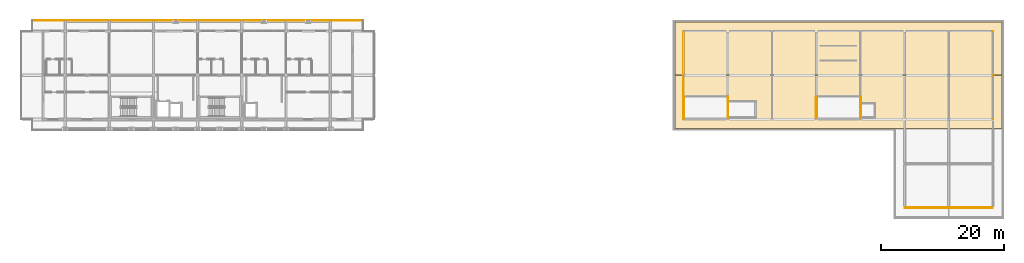
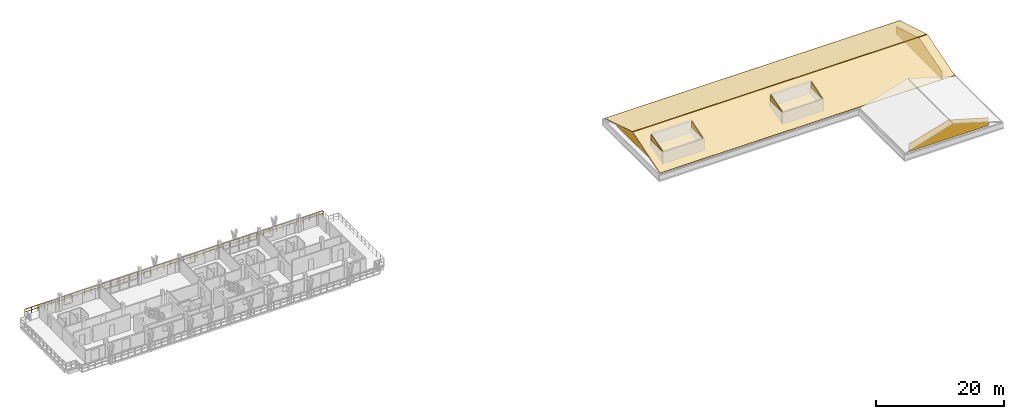
# One storey, part 19 of 19: 9 coverings, 1 railing.
"""IFC4 building model written with IfcOpenShell, lengths in metres."""

import ifcopenshell
import ifcopenshell.guid

model = None  # the IFC model being written
_history = None  # IfcOwnerHistory: only IFC2X3 demands one
_inside = {}  # id of a spatial element -> (the spatial element, [elements in it])
_under = {}  # id of a project, library or spatial element -> (it, [spatial elements below it])
_declared = {}  # id of a project -> (the project, [libraries it declares])
_typed = {}  # id of a type object -> (the type object, [elements of that type])
_made_of = {}  # id of a material, layer set ... -> (it, [elements and type objects made of it])


def new_model(schema):
    """Start an empty IFC model of exactly this schema.

    Asked for "IFC4X3", IfcOpenShell would pick the latest addendum, in which some entities
    have other attributes; the version numbers below select the first issue.
    IFC2X3 requires an IfcOwnerHistory on every rooted entity: one is made here for all.
    """
    global model, _history
    if schema == "IFC4X3":
        model = ifcopenshell.file(schema_version=(4, 3, 0, 0))
    else:
        model = ifcopenshell.file(schema=schema)
    _inside.clear()
    _under.clear()
    _declared.clear()
    _typed.clear()
    _made_of.clear()
    _history = None
    if model.schema == "IFC2X3":
        org = make("IfcOrganization", Name="unknown")
        user = make(
            "IfcPersonAndOrganization",
            ThePerson=make("IfcPerson", FamilyName="unknown"),
            TheOrganization=org,
        )
        app = make(
            "IfcApplication",
            ApplicationDeveloper=org,
            Version="unknown",
            ApplicationFullName="unknown",
            ApplicationIdentifier="unknown",
        )
        _history = make(
            "IfcOwnerHistory",
            OwningUser=user,
            OwningApplication=app,
            ChangeAction="ADDED",
            CreationDate=0,
        )
    return model


def make(cls, **values):
    """One entity of the class cls with the attributes given. An attribute that is None is left unset."""
    return model.create_entity(
        cls, **{name: value for name, value in values.items() if value is not None}
    )


def rooted(cls, **values):
    """An entity with a GlobalId (a new one), such as an element, a storey or a relation."""
    return make(cls, GlobalId=ifcopenshell.guid.new(), OwnerHistory=_history, **values)


def si_unit(unit_type, name, prefix=None):
    """IfcSIUnit, for example si_unit("LENGTHUNIT", "METRE", prefix="MILLI")."""
    return make("IfcSIUnit", UnitType=unit_type, Prefix=prefix, Name=name)


def assignment(units):
    """IfcUnitAssignment: the units of a project."""
    return None if units is None else make("IfcUnitAssignment", Units=units)


def point(xyz):
    """IfcCartesianPoint."""
    return None if xyz is None else make("IfcCartesianPoint", Coordinates=xyz)


def direction(xyz):
    """IfcDirection."""
    return None if xyz is None else make("IfcDirection", DirectionRatios=xyz)


def frame(location, z_axis=None, x_axis=None):
    """IfcAxis2Placement3D, a coordinate frame: its origin and axes. An axis left out is left unset."""
    return make(
        "IfcAxis2Placement3D",
        Location=point(location),
        Axis=direction(z_axis),
        RefDirection=direction(x_axis),
    )


def frame_2d(location, x_axis=None):
    """IfcAxis2Placement2D, a coordinate frame in the plane: its origin and x axis."""
    return make(
        "IfcAxis2Placement2D", Location=point(location), RefDirection=direction(x_axis)
    )


def origin():
    """The frame at (0, 0, 0) with its axes left unset."""
    return frame((0.0, 0.0, 0.0))


def origin_2d():
    """The frame at (0, 0) in the plane with its x axis left unset."""
    return frame_2d((0.0, 0.0))


def place(relative_to, where):
    """IfcLocalPlacement: puts the frame where relative to a parent placement (None: the world)."""
    return make(
        "IfcLocalPlacement", PlacementRelTo=relative_to, RelativePlacement=where
    )


def context(
    kind, dimensions, precision=None, world=None, true_north=None, identifier=None
):
    """IfcGeometricRepresentationContext, for example the 3D "Model" context."""
    return make(
        "IfcGeometricRepresentationContext",
        ContextIdentifier=identifier,
        ContextType=kind,
        CoordinateSpaceDimension=dimensions,
        Precision=precision,
        WorldCoordinateSystem=world,
        TrueNorth=true_north,
    )


def subcontext(parent, identifier, kind, view, scale=None):
    """IfcGeometricRepresentationSubContext, for example "Body" below "Model"."""
    return make(
        "IfcGeometricRepresentationSubContext",
        ContextIdentifier=identifier,
        ContextType=kind,
        ParentContext=parent,
        TargetScale=scale,
        TargetView=view,
    )


def project(units=None, contexts=None):
    """IfcProject with its units and contexts."""
    return rooted(
        "IfcProject",
        Name="project",
        RepresentationContexts=contexts,
        UnitsInContext=assignment(units),
    )


def spatial(cls, under=None, at=None, **own):
    """A site, building, storey or space (cls), placed at a placement, below another one or the project."""
    s = rooted(cls, ObjectPlacement=at, **own)
    if under is not None:
        _under.setdefault(under.id(), (under, []))[1].append(s)
    return s


def polyline(points):
    """IfcPolyline through the points."""
    return make("IfcPolyline", Points=[point(p) for p in points])


def profile(cls, at=None, kind="AREA", **sizes):
    """A parametric profile (cls). Its sizes go by their IFC names, for example OverallWidth=200.0."""
    return make(cls, ProfileType=kind, Position=at, **sizes)


def rectangle(**sizes):
    """IfcRectangleProfileDef."""
    return profile("IfcRectangleProfileDef", **sizes)


def outline(outer, holes=None, kind="AREA"):
    """IfcArbitraryClosedProfileDef: a profile drawn as a closed curve; with holes, ...WithVoids."""
    if holes is None:
        return make("IfcArbitraryClosedProfileDef", ProfileType=kind, OuterCurve=outer)
    return make(
        "IfcArbitraryProfileDefWithVoids",
        ProfileType=kind,
        OuterCurve=outer,
        InnerCurves=holes,
    )


def extrude(swept, where, along, depth):
    """IfcExtrudedAreaSolid: the profile swept, set in the frame where, extruded along a direction by depth."""
    return make(
        "IfcExtrudedAreaSolid",
        SweptArea=swept,
        Position=where,
        ExtrudedDirection=direction(along),
        Depth=depth,
    )


def shape(context_of_items, identifier, shape_type, items):
    """IfcShapeRepresentation: the items that make up one representation, for example the "Body"."""
    return make(
        "IfcShapeRepresentation",
        ContextOfItems=context_of_items,
        RepresentationIdentifier=identifier,
        RepresentationType=shape_type,
        Items=items,
    )


def material(Name=None, Category=None):
    """IfcMaterial."""
    return make("IfcMaterial", Name=Name, Category=Category)


def layer(
    of_material, thickness, ventilated=None, Name=None, Category=None, Priority=None
):
    """IfcMaterialLayer: one layer of a wall or slab, of a material (None: an air gap)."""
    return make(
        "IfcMaterialLayer",
        Material=of_material,
        LayerThickness=thickness,
        IsVentilated=ventilated,
        Name=Name,
        Category=Category,
        Priority=Priority,
    )


def layer_set(layers, Name=None):
    """IfcMaterialLayerSet."""
    return make("IfcMaterialLayerSet", MaterialLayers=layers, LayerSetName=Name)


def made_of(thing, what):
    """Note that an element or type object is made of a material, layer set ...; save() writes the relation."""
    if what is not None:
        _made_of.setdefault(what.id(), (what, []))[1].append(thing)
    return thing


def type_object(cls, material=None, **own):
    """A type object (cls), such as IfcWallType, which elements share."""
    return made_of(rooted(cls, **own), material)


def element(
    cls,
    number,
    at=None,
    inside=None,
    cuts=None,
    type_object=None,
    material=None,
    context=None,
    identifier="Body",
    shape_type=None,
    held_by="IfcProductDefinitionShape",
    body=None,
    shapes=None,
    **own,
):
    """One element of the class cls, such as IfcWall. Its Tag is "e" and its number.

    at: its placement. inside: the storey or other place that contains it. cuts: it is an
    opening in that element (IfcRelVoidsElement). A single representation is given by context,
    identifier, shape_type and body (its items); several are given by shapes. held_by: the class
    of the entity that holds the representations. save() writes the other relations.
    """
    e = rooted(cls, Tag="e%d" % number, ObjectPlacement=at, **own)
    if body is not None:
        shapes = [shape(context, identifier, shape_type, body)]
    if shapes is not None:
        e.Representation = make(held_by, Representations=shapes)
    if inside is not None:
        _inside.setdefault(inside.id(), (inside, []))[1].append(e)
    if cuts is not None:
        rooted(
            "IfcRelVoidsElement", RelatingBuildingElement=cuts, RelatedOpeningElement=e
        )
    if type_object is not None:
        _typed.setdefault(type_object.id(), (type_object, []))[1].append(e)
    return made_of(e, material)


def aggregate(whole, parts):
    """IfcRelAggregates: a whole, such as a stair, and the parts it consists of."""
    return rooted("IfcRelAggregates", RelatingObject=whole, RelatedObjects=parts)


def save(model, path):
    """Write the relations noted so far, then the file.

    IfcRelAggregates (storeys below a building ...), IfcRelContainedInSpatialStructure (elements
    in a storey), IfcRelDefinesByType, IfcRelAssociatesMaterial and IfcRelDeclares: one each for
    every whole, place, type object, material and project.
    """
    for whole, parts in _under.values():
        aggregate(whole, parts)
    for where, things in _inside.values():
        rooted(
            "IfcRelContainedInSpatialStructure",
            RelatedElements=things,
            RelatingStructure=where,
        )
    for kind, things in _typed.values():
        rooted("IfcRelDefinesByType", RelatedObjects=things, RelatingType=kind)
    for what, things in _made_of.values():
        rooted("IfcRelAssociatesMaterial", RelatedObjects=things, RelatingMaterial=what)
    for by, libraries in _declared.values():
        rooted("IfcRelDeclares", RelatingContext=by, RelatedDefinitions=libraries)
    model.write(path)


model = new_model("IFC4")

# Units and contexts
model_context = context("Model", 3, precision=1e-05, world=origin(), true_north=direction((0.0, 1.0)))
body_context = subcontext(model_context, "Body", "Model", "MODEL_VIEW")
ifc_project = project(units=[si_unit("LENGTHUNIT", "METRE"), si_unit("AREAUNIT", "SQUARE_METRE"), si_unit("VOLUMEUNIT", "CUBIC_METRE"), si_unit("PLANEANGLEUNIT", "RADIAN"), si_unit("MASSUNIT", "GRAM", prefix="KILO")], contexts=[model_context])

# Site, building, storey
site_placement = place(None, origin())
site = spatial("IfcSite", under=ifc_project, at=site_placement, CompositionType="ELEMENT")
building_placement = place(site_placement, origin())
building = spatial("IfcBuilding", under=site, at=building_placement, Name="Suanplinth Sawtooth Commons", CompositionType="ELEMENT")
storey_placement = place(building_placement, frame((0.0, 0.0, 44.39990234375)))
storey = spatial("IfcBuildingStorey", under=building, at=storey_placement, Name="L13", CompositionType="ELEMENT", Elevation=44.39990234375)

# Coverings
ifc_material_1 = material(Name="Insulated zinc-aluminium architectural wall panel", Category="aluminium")
ifc_layer_1 = layer(ifc_material_1, 0.139892578125, Name="Insulated architectural gable tympanum cladding 140mm")
ifc_layer_set_1 = layer_set([ifc_layer_1], Name="Insulated zinc-aluminium architectural wall panel")
covering_type_1 = type_object("IfcCoveringType", Name="CV-CL02", PredefinedType="CLADDING", material=ifc_layer_set_1)
for number, where, z_axis, x_axis, name in (
    (1, (136.800048828125, 108.0, 0.0), (0.0, 0.0, 1.0), (0.0, 1.0, 0.0), "L13 Block B Crown W Gable Tympanum"),
    (2, (187.199951171875, 108.0, 0.0), (0.0, 0.0, 1.0), (0.0, 1.0, 0.0), "L13 Block B Crown E Gable Tympanum"),
    (3, (172.800048828125, 93.60009765625, 0.0), (0.0, 0.0, 1.0), (1.0, 0.0, 0.0), "L13 Block B Return Wing Gable Tympanum"),
):
    element("IfcCovering", number, at=place(storey_placement, frame(where, z_axis=z_axis, x_axis=x_axis)), inside=storey, type_object=covering_type_1, Name=name, PredefinedType="CLADDING", context=body_context, shape_type="SweptSolid", body=[
        extrude(outline(polyline([(0.0, 0.0), (14.39990234375, 0.0), (14.39990234375, 1.4501953125), (7.199951171875, 3.5400390625), (0.0, 1.4501953125), (0.0, 0.0)])), frame((0.0, 0.06982421875, 0.0), z_axis=(0.0, -1.0, 0.0), x_axis=(1.0, 0.0, 0.0)), (0.0, 0.0, 1.0), 0.139892578125),
    ])
for number, where, z_axis, x_axis, name in (
    (4, (136.77001953125, 108.205078125, 3.820068359375), (0.0, 0.0, 1.0), (0.0, 1.0, 0.0), "Stair ST-E1 Headhouse Rake Cladding W"),
    (5, (144.030029296875, 108.205078125, 3.820068359375), (0.0, 0.0, 1.0), (0.0, 1.0, 0.0), "Stair ST-E1 Headhouse Rake Cladding E"),
    (6, (158.3701171875, 108.205078125, 3.820068359375), (0.0, 0.0, 1.0), (0.0, 1.0, 0.0), "Stair ST-E2 Headhouse Rake Cladding W"),
    (7, (165.6298828125, 108.205078125, 3.820068359375), (0.0, 0.0, 1.0), (0.0, 1.0, 0.0), "Stair ST-E2 Headhouse Rake Cladding E"),
):
    element("IfcCovering", number, at=place(storey_placement, frame(where, z_axis=z_axis, x_axis=x_axis)), inside=storey, type_object=covering_type_1, Name=name, PredefinedType="CLADDING", context=body_context, shape_type="SweptSolid", body=[
        extrude(outline(polyline([(0.0, 0.0), (3.489990234375, 0.0), (3.489990234375, 1.10009765625), (0.0, 0.0), (0.0, 0.0)])), frame((0.0, 0.06982421875, 0.0), z_axis=(0.0, -1.0, 0.0), x_axis=(1.0, 0.0, 0.0)), (0.0, 0.0, 1.0), 0.139892578125),
    ])
ifc_material_2 = material(Name="Standing-seam zinc-aluminium alloy sheet", Category="aluminium")
ifc_layer_2 = layer(ifc_material_2, 0.06494140625, Name="Standing-seam zinc-aluminium roof cladding 65mm")
ifc_layer_set_2 = layer_set([ifc_layer_2], Name="Standing-seam zinc-aluminium alloy sheet")
covering_type_2 = type_object("IfcCoveringType", Name="CV-RF01", PredefinedType="ROOFING", material=ifc_layer_set_2)
covering_1_placement = place(storey_placement, frame((135.35009765625, 106.550048828125, 1.155029296875), z_axis=(0.0, -0.290734147069, 0.956803875268), x_axis=(1.0, 0.0, 0.0)))
element("IfcCovering", 8, at=covering_1_placement, inside=storey, type_object=covering_type_2, Name="L13 Block B Crown South Standing-Seam Roof", PredefinedType="ROOFING", context=body_context, shape_type="SweptSolid", body=[
    extrude(outline(polyline([(0.0, 0.0), (53.2998046875, 0.0), (53.2998046875, 8.977643143004794), (0.0, 8.977643143004794), (0.0, 0.0)])), origin(), (0.0, 0.0, -1.0), 0.06494140625),
])
covering_2_placement = place(storey_placement, frame((135.35009765625, 123.85009765625, 1.155029296875), z_axis=(0.0, 0.290726582471, 0.956806173812), x_axis=(1.0, 0.0, 0.0)))
element("IfcCovering", 9, at=covering_2_placement, inside=storey, type_object=covering_type_2, Name="L13 Block B Crown North Standing-Seam Roof", PredefinedType="ROOFING", context=body_context, shape_type="SweptSolid", body=[
    extrude(outline(polyline([(0.0, 0.0), (53.2998046875, 0.0), (53.2998046875, -8.977876737981493), (0.0, -8.977876737981493), (0.0, 0.0)])), origin(), (0.0, 0.0, -1.0), 0.06494140625),
])

# Railing
ifc_material_3 = material(Name="Powder-coated galvanized steel", Category="steel")
railing_type = type_object("IfcRailingType", Name="GR-01", PredefinedType="BALUSTRADE", material=ifc_material_3)
railing_placement = place(storey_placement, frame((30.659912109375, 124.139892578125, 0.0)))
element("IfcRailing", 10, at=railing_placement, inside=storey, type_object=railing_type, Name="L13 Block A Perimeter Balustrade 5", PredefinedType="BALUSTRADE", context=body_context, shape_type="SweptSolid", body=[
    extrude(rectangle(XDim=0.048095703125, YDim=0.048095703125, at=origin_2d()), frame((0.0, 0.0, 1.09619140625), z_axis=(1.0, 0.0, 0.0), x_axis=(0.0, 1.0, 0.0)), (0.0, 0.0, 1.0), 53.880126953125),
    extrude(rectangle(XDim=0.03369140625, YDim=0.03369140625, at=origin_2d()), frame((0.0, 0.0, 0.56005859375), z_axis=(1.0, 0.0, 0.0), x_axis=(0.0, 1.0, 0.0)), (0.0, 0.0, 1.0), 53.880126953125),
    extrude(rectangle(XDim=0.0419921875, YDim=0.0419921875, at=origin_2d()), origin(), (0.0, 0.0, 1.0), 1.072021484375),
    extrude(rectangle(XDim=0.0419921875, YDim=0.0419921875, at=origin_2d()), frame((1.197265625, 0.0, 0.0)), (0.0, 0.0, 1.0), 1.072021484375),
    extrude(rectangle(XDim=0.0419921875, YDim=0.0419921875, at=origin_2d()), frame((2.394775390625, 0.0, 0.0)), (0.0, 0.0, 1.0), 1.072021484375),
    extrude(rectangle(XDim=0.0419921875, YDim=0.0419921875, at=origin_2d()), frame((3.592041015625, 0.0, 0.0)), (0.0, 0.0, 1.0), 1.072021484375),
    extrude(rectangle(XDim=0.0419921875, YDim=0.0419921875, at=origin_2d()), frame((4.789306640625, 0.0, 0.0)), (0.0, 0.0, 1.0), 1.072021484375),
    extrude(rectangle(XDim=0.0419921875, YDim=0.0419921875, at=origin_2d()), frame((5.986572265625, 0.0, 0.0)), (0.0, 0.0, 1.0), 1.072021484375),
    extrude(rectangle(XDim=0.0419921875, YDim=0.0419921875, at=origin_2d()), frame((7.18408203125, 0.0, 0.0)), (0.0, 0.0, 1.0), 1.072021484375),
    extrude(rectangle(XDim=0.0419921875, YDim=0.0419921875, at=origin_2d()), frame((8.38134765625, 0.0, 0.0)), (0.0, 0.0, 1.0), 1.072021484375),
    extrude(rectangle(XDim=0.0419921875, YDim=0.0419921875, at=origin_2d()), frame((9.57861328125, 0.0, 0.0)), (0.0, 0.0, 1.0), 1.072021484375),
    extrude(rectangle(XDim=0.0419921875, YDim=0.0419921875, at=origin_2d()), frame((10.776123046875, 0.0, 0.0)), (0.0, 0.0, 1.0), 1.072021484375),
    extrude(rectangle(XDim=0.0419921875, YDim=0.0419921875, at=origin_2d()), frame((11.973388671875, 0.0, 0.0)), (0.0, 0.0, 1.0), 1.072021484375),
    extrude(rectangle(XDim=0.0419921875, YDim=0.0419921875, at=origin_2d()), frame((13.170654296875, 0.0, 0.0)), (0.0, 0.0, 1.0), 1.072021484375),
    extrude(rectangle(XDim=0.0419921875, YDim=0.0419921875, at=origin_2d()), frame((14.367919921875, 0.0, 0.0)), (0.0, 0.0, 1.0), 1.072021484375),
    extrude(rectangle(XDim=0.0419921875, YDim=0.0419921875, at=origin_2d()), frame((15.5654296875, 0.0, 0.0)), (0.0, 0.0, 1.0), 1.072021484375),
    extrude(rectangle(XDim=0.0419921875, YDim=0.0419921875, at=origin_2d()), frame((16.7626953125, 0.0, 0.0)), (0.0, 0.0, 1.0), 1.072021484375),
    extrude(rectangle(XDim=0.0419921875, YDim=0.0419921875, at=origin_2d()), frame((17.9599609375, 0.0, 0.0)), (0.0, 0.0, 1.0), 1.072021484375),
    extrude(rectangle(XDim=0.0419921875, YDim=0.0419921875, at=origin_2d()), frame((19.157470703125, 0.0, 0.0)), (0.0, 0.0, 1.0), 1.072021484375),
    extrude(rectangle(XDim=0.0419921875, YDim=0.0419921875, at=origin_2d()), frame((20.354736328125, 0.0, 0.0)), (0.0, 0.0, 1.0), 1.072021484375),
    extrude(rectangle(XDim=0.0419921875, YDim=0.0419921875, at=origin_2d()), frame((21.552001953125, 0.0, 0.0)), (0.0, 0.0, 1.0), 1.072021484375),
    extrude(rectangle(XDim=0.0419921875, YDim=0.0419921875, at=origin_2d()), frame((22.749267578125, 0.0, 0.0)), (0.0, 0.0, 1.0), 1.072021484375),
    extrude(rectangle(XDim=0.0419921875, YDim=0.0419921875, at=origin_2d()), frame((23.94677734375, 0.0, 0.0)), (0.0, 0.0, 1.0), 1.072021484375),
    extrude(rectangle(XDim=0.0419921875, YDim=0.0419921875, at=origin_2d()), frame((25.14404296875, 0.0, 0.0)), (0.0, 0.0, 1.0), 1.072021484375),
    extrude(rectangle(XDim=0.0419921875, YDim=0.0419921875, at=origin_2d()), frame((26.34130859375, 0.0, 0.0)), (0.0, 0.0, 1.0), 1.072021484375),
    extrude(rectangle(XDim=0.0419921875, YDim=0.0419921875, at=origin_2d()), frame((27.538818359375, 0.0, 0.0)), (0.0, 0.0, 1.0), 1.072021484375),
    extrude(rectangle(XDim=0.0419921875, YDim=0.0419921875, at=origin_2d()), frame((28.736083984375, 0.0, 0.0)), (0.0, 0.0, 1.0), 1.072021484375),
    extrude(rectangle(XDim=0.0419921875, YDim=0.0419921875, at=origin_2d()), frame((29.933349609375, 0.0, 0.0)), (0.0, 0.0, 1.0), 1.072021484375),
    extrude(rectangle(XDim=0.0419921875, YDim=0.0419921875, at=origin_2d()), frame((31.130859375, 0.0, 0.0)), (0.0, 0.0, 1.0), 1.072021484375),
    extrude(rectangle(XDim=0.0419921875, YDim=0.0419921875, at=origin_2d()), frame((32.328125, 0.0, 0.0)), (0.0, 0.0, 1.0), 1.072021484375),
    extrude(rectangle(XDim=0.0419921875, YDim=0.0419921875, at=origin_2d()), frame((33.525390625, 0.0, 0.0)), (0.0, 0.0, 1.0), 1.072021484375),
    extrude(rectangle(XDim=0.0419921875, YDim=0.0419921875, at=origin_2d()), frame((34.72265625, 0.0, 0.0)), (0.0, 0.0, 1.0), 1.072021484375),
    extrude(rectangle(XDim=0.0419921875, YDim=0.0419921875, at=origin_2d()), frame((35.920166015625, 0.0, 0.0)), (0.0, 0.0, 1.0), 1.072021484375),
    extrude(rectangle(XDim=0.0419921875, YDim=0.0419921875, at=origin_2d()), frame((37.117431640625, 0.0, 0.0)), (0.0, 0.0, 1.0), 1.072021484375),
    extrude(rectangle(XDim=0.0419921875, YDim=0.0419921875, at=origin_2d()), frame((38.314697265625, 0.0, 0.0)), (0.0, 0.0, 1.0), 1.072021484375),
    extrude(rectangle(XDim=0.0419921875, YDim=0.0419921875, at=origin_2d()), frame((39.51220703125, 0.0, 0.0)), (0.0, 0.0, 1.0), 1.072021484375),
    extrude(rectangle(XDim=0.0419921875, YDim=0.0419921875, at=origin_2d()), frame((40.70947265625, 0.0, 0.0)), (0.0, 0.0, 1.0), 1.072021484375),
    extrude(rectangle(XDim=0.0419921875, YDim=0.0419921875, at=origin_2d()), frame((41.90673828125, 0.0, 0.0)), (0.0, 0.0, 1.0), 1.072021484375),
    extrude(rectangle(XDim=0.0419921875, YDim=0.0419921875, at=origin_2d()), frame((43.10400390625, 0.0, 0.0)), (0.0, 0.0, 1.0), 1.072021484375),
    extrude(rectangle(XDim=0.0419921875, YDim=0.0419921875, at=origin_2d()), frame((44.301513671875, 0.0, 0.0)), (0.0, 0.0, 1.0), 1.072021484375),
    extrude(rectangle(XDim=0.0419921875, YDim=0.0419921875, at=origin_2d()), frame((45.498779296875, 0.0, 0.0)), (0.0, 0.0, 1.0), 1.072021484375),
    extrude(rectangle(XDim=0.0419921875, YDim=0.0419921875, at=origin_2d()), frame((46.696044921875, 0.0, 0.0)), (0.0, 0.0, 1.0), 1.072021484375),
    extrude(rectangle(XDim=0.0419921875, YDim=0.0419921875, at=origin_2d()), frame((47.8935546875, 0.0, 0.0)), (0.0, 0.0, 1.0), 1.072021484375),
    extrude(rectangle(XDim=0.0419921875, YDim=0.0419921875, at=origin_2d()), frame((49.0908203125, 0.0, 0.0)), (0.0, 0.0, 1.0), 1.072021484375),
    extrude(rectangle(XDim=0.0419921875, YDim=0.0419921875, at=origin_2d()), frame((50.2880859375, 0.0, 0.0)), (0.0, 0.0, 1.0), 1.072021484375),
    extrude(rectangle(XDim=0.0419921875, YDim=0.0419921875, at=origin_2d()), frame((51.4853515625, 0.0, 0.0)), (0.0, 0.0, 1.0), 1.072021484375),
    extrude(rectangle(XDim=0.0419921875, YDim=0.0419921875, at=origin_2d()), frame((52.682861328125, 0.0, 0.0)), (0.0, 0.0, 1.0), 1.072021484375),
    extrude(rectangle(XDim=0.0419921875, YDim=0.0419921875, at=origin_2d()), frame((53.880126953125, 0.0, 0.0)), (0.0, 0.0, 1.0), 1.072021484375),
])

save(model, "model.ifc")
